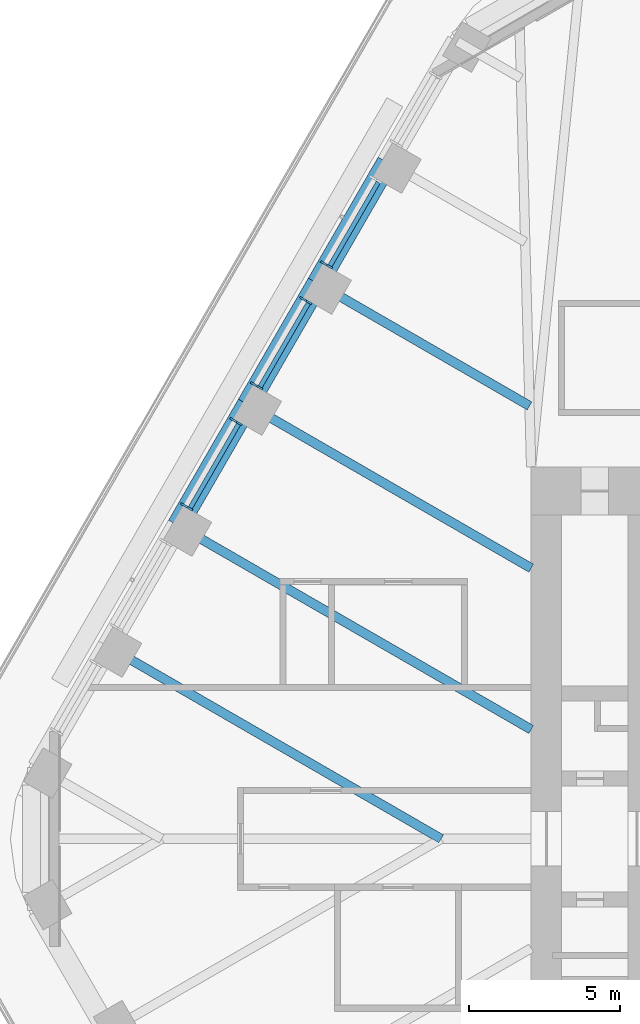
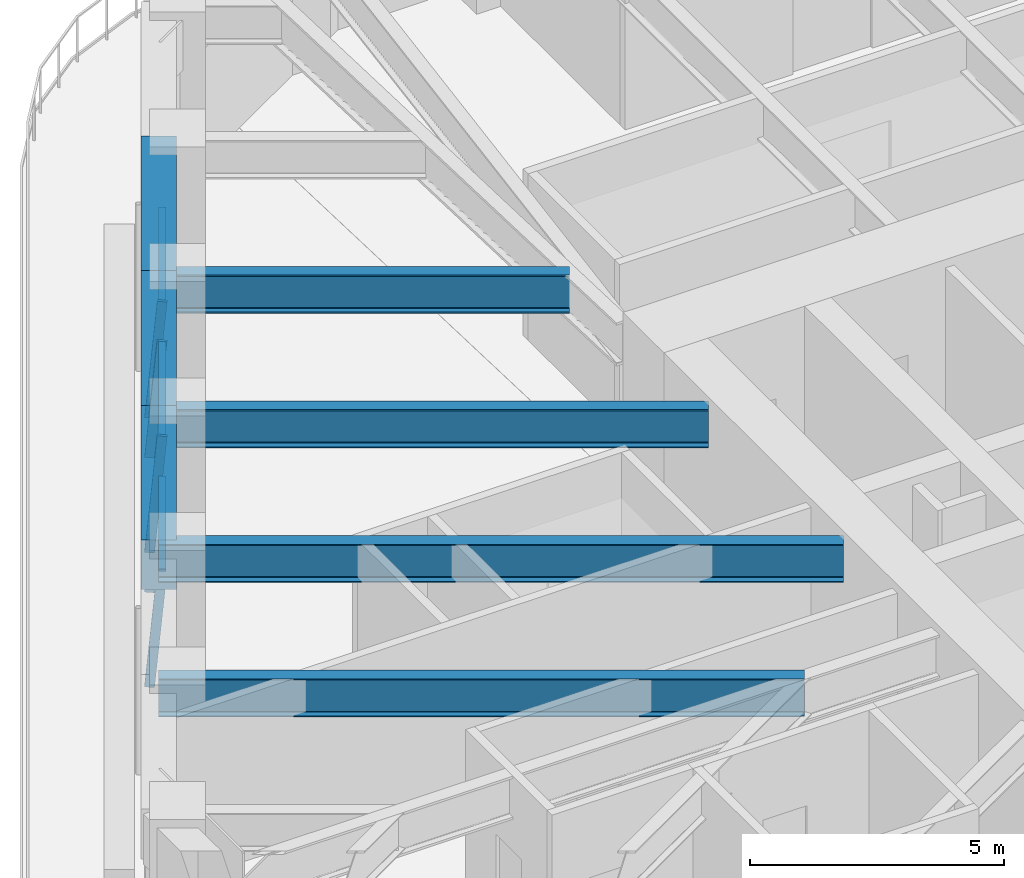
# One storey, part 7 of 20: 8 members, 7 beams, 3 elements without a shape of their own.
"""IFC4 building model written with IfcOpenShell, lengths in metres."""

import ifcopenshell
import ifcopenshell.guid

model = None  # the IFC model being written
_history = None  # IfcOwnerHistory: only IFC2X3 demands one
_inside = {}  # id of a spatial element -> (the spatial element, [elements in it])
_under = {}  # id of a project, library or spatial element -> (it, [spatial elements below it])
_declared = {}  # id of a project -> (the project, [libraries it declares])
_typed = {}  # id of a type object -> (the type object, [elements of that type])
_made_of = {}  # id of a material, layer set ... -> (it, [elements and type objects made of it])


def new_model(schema):
    """Start an empty IFC model of exactly this schema.

    Asked for "IFC4X3", IfcOpenShell would pick the latest addendum, in which some entities
    have other attributes; the version numbers below select the first issue.
    IFC2X3 requires an IfcOwnerHistory on every rooted entity: one is made here for all.
    """
    global model, _history
    if schema == "IFC4X3":
        model = ifcopenshell.file(schema_version=(4, 3, 0, 0))
    else:
        model = ifcopenshell.file(schema=schema)
    _inside.clear()
    _under.clear()
    _declared.clear()
    _typed.clear()
    _made_of.clear()
    _history = None
    if model.schema == "IFC2X3":
        org = make("IfcOrganization", Name="unknown")
        user = make(
            "IfcPersonAndOrganization",
            ThePerson=make("IfcPerson", FamilyName="unknown"),
            TheOrganization=org,
        )
        app = make(
            "IfcApplication",
            ApplicationDeveloper=org,
            Version="unknown",
            ApplicationFullName="unknown",
            ApplicationIdentifier="unknown",
        )
        _history = make(
            "IfcOwnerHistory",
            OwningUser=user,
            OwningApplication=app,
            ChangeAction="ADDED",
            CreationDate=0,
        )
    return model


def make(cls, **values):
    """One entity of the class cls with the attributes given. An attribute that is None is left unset."""
    return model.create_entity(
        cls, **{name: value for name, value in values.items() if value is not None}
    )


def rooted(cls, **values):
    """An entity with a GlobalId (a new one), such as an element, a storey or a relation."""
    return make(cls, GlobalId=ifcopenshell.guid.new(), OwnerHistory=_history, **values)


def si_unit(unit_type, name, prefix=None):
    """IfcSIUnit, for example si_unit("LENGTHUNIT", "METRE", prefix="MILLI")."""
    return make("IfcSIUnit", UnitType=unit_type, Prefix=prefix, Name=name)


def assignment(units):
    """IfcUnitAssignment: the units of a project."""
    return None if units is None else make("IfcUnitAssignment", Units=units)


def point(xyz):
    """IfcCartesianPoint."""
    return None if xyz is None else make("IfcCartesianPoint", Coordinates=xyz)


def direction(xyz):
    """IfcDirection."""
    return None if xyz is None else make("IfcDirection", DirectionRatios=xyz)


def frame(location, z_axis=None, x_axis=None):
    """IfcAxis2Placement3D, a coordinate frame: its origin and axes. An axis left out is left unset."""
    return make(
        "IfcAxis2Placement3D",
        Location=point(location),
        Axis=direction(z_axis),
        RefDirection=direction(x_axis),
    )


def frame_2d(location, x_axis=None):
    """IfcAxis2Placement2D, a coordinate frame in the plane: its origin and x axis."""
    return make(
        "IfcAxis2Placement2D", Location=point(location), RefDirection=direction(x_axis)
    )


def origin():
    """The frame at (0, 0, 0) with its axes left unset."""
    return frame((0.0, 0.0, 0.0))


def origin_2d():
    """The frame at (0, 0) in the plane with its x axis left unset."""
    return frame_2d((0.0, 0.0))


def place(relative_to, where):
    """IfcLocalPlacement: puts the frame where relative to a parent placement (None: the world)."""
    return make(
        "IfcLocalPlacement", PlacementRelTo=relative_to, RelativePlacement=where
    )


def context(
    kind, dimensions, precision=None, world=None, true_north=None, identifier=None
):
    """IfcGeometricRepresentationContext, for example the 3D "Model" context."""
    return make(
        "IfcGeometricRepresentationContext",
        ContextIdentifier=identifier,
        ContextType=kind,
        CoordinateSpaceDimension=dimensions,
        Precision=precision,
        WorldCoordinateSystem=world,
        TrueNorth=true_north,
    )


def subcontext(parent, identifier, kind, view, scale=None):
    """IfcGeometricRepresentationSubContext, for example "Body" below "Model"."""
    return make(
        "IfcGeometricRepresentationSubContext",
        ContextIdentifier=identifier,
        ContextType=kind,
        ParentContext=parent,
        TargetScale=scale,
        TargetView=view,
    )


def project(units=None, contexts=None):
    """IfcProject with its units and contexts."""
    return rooted(
        "IfcProject",
        Name="project",
        RepresentationContexts=contexts,
        UnitsInContext=assignment(units),
    )


def spatial(cls, under=None, at=None, **own):
    """A site, building, storey or space (cls), placed at a placement, below another one or the project."""
    s = rooted(cls, ObjectPlacement=at, **own)
    if under is not None:
        _under.setdefault(under.id(), (under, []))[1].append(s)
    return s


def profile(cls, at=None, kind="AREA", **sizes):
    """A parametric profile (cls). Its sizes go by their IFC names, for example OverallWidth=200.0."""
    return make(cls, ProfileType=kind, Position=at, **sizes)


def rectangle(**sizes):
    """IfcRectangleProfileDef."""
    return profile("IfcRectangleProfileDef", **sizes)


def i_section(**sizes):
    """IfcIShapeProfileDef."""
    return profile("IfcIShapeProfileDef", **sizes)


def extrude(swept, where, along, depth):
    """IfcExtrudedAreaSolid: the profile swept, set in the frame where, extruded along a direction by depth."""
    return make(
        "IfcExtrudedAreaSolid",
        SweptArea=swept,
        Position=where,
        ExtrudedDirection=direction(along),
        Depth=depth,
    )


def shape(context_of_items, identifier, shape_type, items):
    """IfcShapeRepresentation: the items that make up one representation, for example the "Body"."""
    return make(
        "IfcShapeRepresentation",
        ContextOfItems=context_of_items,
        RepresentationIdentifier=identifier,
        RepresentationType=shape_type,
        Items=items,
    )


def material(Name=None, Category=None):
    """IfcMaterial."""
    return make("IfcMaterial", Name=Name, Category=Category)


def material_profile(
    of_material, cross_section, Name=None, Category=None, Priority=None
):
    """IfcMaterialProfile: a cross section and its material."""
    return make(
        "IfcMaterialProfile",
        Name=Name,
        Material=of_material,
        Profile=cross_section,
        Priority=Priority,
        Category=Category,
    )


def profile_set(profiles, Name=None, composite=None):
    """IfcMaterialProfileSet."""
    return make(
        "IfcMaterialProfileSet",
        Name=Name,
        MaterialProfiles=profiles,
        CompositeProfile=composite,
    )


def made_of(thing, what):
    """Note that an element or type object is made of a material, layer set ...; save() writes the relation."""
    if what is not None:
        _made_of.setdefault(what.id(), (what, []))[1].append(thing)
    return thing


def type_object(cls, material=None, **own):
    """A type object (cls), such as IfcWallType, which elements share."""
    return made_of(rooted(cls, **own), material)


def element(
    cls,
    number,
    at=None,
    inside=None,
    cuts=None,
    type_object=None,
    material=None,
    context=None,
    identifier="Body",
    shape_type=None,
    held_by="IfcProductDefinitionShape",
    body=None,
    shapes=None,
    **own,
):
    """One element of the class cls, such as IfcWall. Its Tag is "e" and its number.

    at: its placement. inside: the storey or other place that contains it. cuts: it is an
    opening in that element (IfcRelVoidsElement). A single representation is given by context,
    identifier, shape_type and body (its items); several are given by shapes. held_by: the class
    of the entity that holds the representations. save() writes the other relations.
    """
    e = rooted(cls, Tag="e%d" % number, ObjectPlacement=at, **own)
    if body is not None:
        shapes = [shape(context, identifier, shape_type, body)]
    if shapes is not None:
        e.Representation = make(held_by, Representations=shapes)
    if inside is not None:
        _inside.setdefault(inside.id(), (inside, []))[1].append(e)
    if cuts is not None:
        rooted(
            "IfcRelVoidsElement", RelatingBuildingElement=cuts, RelatedOpeningElement=e
        )
    if type_object is not None:
        _typed.setdefault(type_object.id(), (type_object, []))[1].append(e)
    return made_of(e, material)


def aggregate(whole, parts):
    """IfcRelAggregates: a whole, such as a stair, and the parts it consists of."""
    return rooted("IfcRelAggregates", RelatingObject=whole, RelatedObjects=parts)


def save(model, path):
    """Write the relations noted so far, then the file.

    IfcRelAggregates (storeys below a building ...), IfcRelContainedInSpatialStructure (elements
    in a storey), IfcRelDefinesByType, IfcRelAssociatesMaterial and IfcRelDeclares: one each for
    every whole, place, type object, material and project.
    """
    for whole, parts in _under.values():
        aggregate(whole, parts)
    for where, things in _inside.values():
        rooted(
            "IfcRelContainedInSpatialStructure",
            RelatedElements=things,
            RelatingStructure=where,
        )
    for kind, things in _typed.values():
        rooted("IfcRelDefinesByType", RelatedObjects=things, RelatingType=kind)
    for what, things in _made_of.values():
        rooted("IfcRelAssociatesMaterial", RelatedObjects=things, RelatingMaterial=what)
    for by, libraries in _declared.values():
        rooted("IfcRelDeclares", RelatingContext=by, RelatedDefinitions=libraries)
    model.write(path)


model = new_model("IFC4")

# Units and contexts
model_context = context("Model", 3, precision=1e-05, world=origin(), true_north=direction((0.0, 1.0)))
body_context = subcontext(model_context, "Body", "Model", "MODEL_VIEW")
ifc_project = project(units=[si_unit("LENGTHUNIT", "METRE"), si_unit("AREAUNIT", "SQUARE_METRE"), si_unit("VOLUMEUNIT", "CUBIC_METRE"), si_unit("PLANEANGLEUNIT", "RADIAN"), si_unit("MASSUNIT", "GRAM", prefix="KILO")], contexts=[model_context])

# Site, building, storey
site_placement = place(None, origin())
site = spatial("IfcSite", under=ifc_project, at=site_placement, CompositionType="ELEMENT")
building_placement = place(site_placement, origin())
building = spatial("IfcBuilding", under=site, at=building_placement, Name="Tarfa Lantern Tower", CompositionType="ELEMENT")
storey_placement = place(building_placement, frame((0.0, 0.0, 240.699951171875)))
storey = spatial("IfcBuildingStorey", under=building, at=storey_placement, Name="L54", CompositionType="ELEMENT", Elevation=240.699951171875)

# Curtain wall, member
ifc_material_1 = material(Name="Aluminium framed curtain wall", Category="aluminium")
curtain_wall_type = type_object("IfcCurtainWallType", Name="CW3 CANTED GLAZING HIGH ZONE 2800", PredefinedType="USERDEFINED", material=ifc_material_1)
curtain_wall_1_placement = place(storey_placement, origin())
curtain_wall_1 = element("IfcCurtainWall", 1, at=curtain_wall_1_placement, inside=storey, type_object=curtain_wall_type, Name="CW3 NW L54", ObjectType="CURTAIN WALL", PredefinedType="USERDEFINED")
ifc_material_2 = material(Name="Aluminium mullion", Category="aluminium")
ifc_material_profile_1 = material_profile(ifc_material_2, rectangle(XDim=0.06494140625, YDim=0.199951171875, at=origin_2d()), Name="AL MULLION 65x200")
ifc_profile_set_1 = profile_set([ifc_material_profile_1], Name="Aluminium mullion")
member_type_1 = type_object("IfcMemberType", Name="CWM1 MULLION 65x200", PredefinedType="MULLION", material=ifc_profile_set_1)
member_1_placement = place(storey_placement, frame((-22.37744140625, 19.041015625, 0.0), z_axis=(0.077032386753, -0.044465143199, 0.996036576854), x_axis=(0.499919672301, 0.866071776036, 0.0)))
member_1 = element("IfcMember", 2, at=member_1_placement, type_object=member_type_1, Name="CW3 mullion 2", PredefinedType="MULLION", context=body_context, shape_type="SweptSolid", body=[
    extrude(rectangle(XDim=0.06494140625, YDim=0.199951171875, at=origin_2d()), origin(), (0.0, 0.0, 1.0), 2.811279296875),
])

# Curtain wall, members
curtain_wall_2_placement = place(storey_placement, origin())
curtain_wall_2 = element("IfcCurtainWall", 3, at=curtain_wall_2_placement, inside=storey, type_object=curtain_wall_type, Name="CW3 NW L54", ObjectType="CURTAIN WALL", PredefinedType="USERDEFINED")
member_2_placement = place(storey_placement, frame((-23.06005859375, 17.85888671875, 0.0), z_axis=(0.077032386753, -0.044465143199, 0.996036576854), x_axis=(0.499919672301, 0.866071776036, 0.0)))
member_2 = element("IfcMember", 4, at=member_2_placement, type_object=member_type_1, Name="CW3 mullion 1", PredefinedType="MULLION", context=body_context, shape_type="SweptSolid", body=[
    extrude(rectangle(XDim=0.06494140625, YDim=0.199951171875, at=origin_2d()), origin(), (0.0, 0.0, 1.0), 2.811279296875),
])
member_3_placement = place(storey_placement, frame((-24.686767578125, 15.041015625, 0.0), z_axis=(0.076946055247, -0.044465440504, 0.996043236603), x_axis=(0.500342721131, 0.865827443207, 0.0)))
member_3 = element("IfcMember", 5, at=member_3_placement, type_object=member_type_1, Name="CW3 mullion 2", PredefinedType="MULLION", context=body_context, shape_type="SweptSolid", body=[
    extrude(rectangle(XDim=0.06494140625, YDim=0.199951171875, at=origin_2d()), origin(), (0.0, 0.0, 1.0), 2.811279296875),
])

curtain_wall_3_placement = place(storey_placement, origin())
curtain_wall_3 = element("IfcCurtainWall", 6, at=curtain_wall_3_placement, inside=storey, type_object=curtain_wall_type, Name="CW3 NW L54", ObjectType="CURTAIN WALL", PredefinedType="USERDEFINED")
member_4_placement = place(storey_placement, frame((-25.369384765625, 13.85888671875, 0.0), z_axis=(0.077032386753, -0.044465143199, 0.996036576854), x_axis=(0.499919672301, 0.866071776036, 0.0)))
member_4 = element("IfcMember", 7, at=member_4_placement, type_object=member_type_1, Name="CW3 mullion 1", PredefinedType="MULLION", context=body_context, shape_type="SweptSolid", body=[
    extrude(rectangle(XDim=0.06494140625, YDim=0.199951171875, at=origin_2d()), origin(), (0.0, 0.0, 1.0), 2.811279296875),
])
member_5_placement = place(storey_placement, frame((-26.996337890625, 11.041015625, 0.0), z_axis=(0.077032386753, -0.044465143199, 0.996036576854), x_axis=(0.499919672301, 0.866071776036, 0.0)))
member_5 = element("IfcMember", 8, at=member_5_placement, type_object=member_type_1, Name="CW3 mullion 2", PredefinedType="MULLION", context=body_context, shape_type="SweptSolid", body=[
    extrude(rectangle(XDim=0.06494140625, YDim=0.199951171875, at=origin_2d()), origin(), (0.0, 0.0, 1.0), 2.811279296875),
])

# Member
ifc_material_3 = material(Name="Aluminium transom", Category="aluminium")
ifc_material_profile_2 = material_profile(ifc_material_3, rectangle(XDim=0.14990234375, YDim=0.06494140625, at=origin_2d()), Name="AL TRANSOM 150x65")
ifc_profile_set_2 = profile_set([ifc_material_profile_2], Name="Aluminium transom")
member_type_2 = type_object("IfcMemberType", Name="CWT1 TRANSOM 150x65", PredefinedType="USERDEFINED", material=ifc_profile_set_2)
member_6_placement = place(storey_placement, frame((-20.552734375, 21.707275390625, 2.767578125), z_axis=(-0.500000789788, -0.8660249478, 0.0), x_axis=(0.8660249478, -0.500000789788, 0.0)))
member_6 = element("IfcMember", 9, at=member_6_placement, type_object=member_type_2, Name="CW3 transom 1.2", ObjectType="TRANSOM", PredefinedType="USERDEFINED", context=body_context, shape_type="SweptSolid", body=[
    extrude(rectangle(XDim=0.14990234375, YDim=0.06494140625, at=origin_2d()), origin(), (0.0, 0.0, 1.0), 3.18896484375),
])

aggregate(curtain_wall_1, [member_1, member_6])

member_7_placement = place(storey_placement, frame((-22.8623046875, 17.707275390625, 2.767578125), z_axis=(-0.499943367995, -0.866058097819, 0.0), x_axis=(0.866058097819, -0.499943367995, 0.0)))
member_7 = element("IfcMember", 10, at=member_7_placement, type_object=member_type_2, Name="CW3 transom 1.2", ObjectType="TRANSOM", PredefinedType="USERDEFINED", context=body_context, shape_type="SweptSolid", body=[
    extrude(rectangle(XDim=0.14990234375, YDim=0.06494140625, at=origin_2d()), origin(), (0.0, 0.0, 1.0), 3.188720703125),
])

aggregate(curtain_wall_2, [member_2, member_3, member_7])

member_8_placement = place(storey_placement, frame((-25.171630859375, 13.707275390625, 2.767578125), z_axis=(-0.500000789788, -0.8660249478, 0.0), x_axis=(0.8660249478, -0.500000789788, 0.0)))
member_8 = element("IfcMember", 11, at=member_8_placement, type_object=member_type_2, Name="CW3 transom 1.2", ObjectType="TRANSOM", PredefinedType="USERDEFINED", context=body_context, shape_type="SweptSolid", body=[
    extrude(rectangle(XDim=0.14990234375, YDim=0.06494140625, at=origin_2d()), origin(), (0.0, 0.0, 1.0), 3.18896484375),
])

aggregate(curtain_wall_3, [member_4, member_5, member_8])

# Beams
ifc_material_4 = material(Name="Concrete C80/95", Category="concrete")
ifc_material_profile_3 = material_profile(ifc_material_4, rectangle(XDim=0.699951171875, YDim=1.199951171875, at=origin_2d()), Name="RC 700x1200")
ifc_profile_set_3 = profile_set([ifc_material_profile_3], Name="Concrete C80/95")
beam_type_1 = type_object("IfcBeamType", Name="EB3 RC 700x1200", PredefinedType="SPANDREL", material=ifc_profile_set_3)
beam_1_placement = place(storey_placement, frame((-20.25341796875, 22.360107421875, 3.400146484375), z_axis=(-0.499987836815, -0.866032426089, 0.0), x_axis=(0.866032426089, -0.499987836815, 0.0)))
element("IfcBeam", 12, at=beam_1_placement, inside=storey, type_object=beam_type_1, Name="Edge beam NW1", PredefinedType="SPANDREL", context=body_context, shape_type="SweptSolid", body=[
    extrude(rectangle(XDim=0.699951171875, YDim=1.199951171875, at=origin_2d()), origin(), (0.0, 0.0, 1.0), 4.61865234375),
])
beam_2_placement = place(storey_placement, frame((-22.562744140625, 18.360107421875, 3.400146484375), z_axis=(-0.500027479704, -0.866009537788, 0.0), x_axis=(0.866009537788, -0.500027479704, 0.0)))
element("IfcBeam", 13, at=beam_2_placement, inside=storey, type_object=beam_type_1, Name="Edge beam NW2", PredefinedType="SPANDREL", context=body_context, shape_type="SweptSolid", body=[
    extrude(rectangle(XDim=0.699951171875, YDim=1.199951171875, at=origin_2d()), origin(), (0.0, 0.0, 1.0), 4.618896484375),
])
beam_3_placement = place(storey_placement, frame((-24.872314453125, 14.360107421875, 3.400146484375), z_axis=(-0.499987836815, -0.866032426089, 0.0), x_axis=(0.866032426089, -0.499987836815, 0.0)))
element("IfcBeam", 14, at=beam_3_placement, inside=storey, type_object=beam_type_1, Name="Edge beam NW3", PredefinedType="SPANDREL", context=body_context, shape_type="SweptSolid", body=[
    extrude(rectangle(XDim=0.699951171875, YDim=1.199951171875, at=origin_2d()), origin(), (0.0, 0.0, 1.0), 4.61865234375),
])
ifc_material_5 = material(Name="Steel S460M", Category="steel")
ifc_material_profile_4 = material_profile(ifc_material_5, i_section(OverallWidth=0.305419921875, OverallDepth=0.91845703125, WebThickness=0.017333984375, FlangeThickness=0.02783203125, FilletRadius=0.01904296875, at=origin_2d()), Name="UB914x305x253")
ifc_profile_set_4 = profile_set([ifc_material_profile_4], Name="Steel S460M")
beam_type_2 = type_object("IfcBeamType", Name="UB914x305x253", PredefinedType="BEAM", material=ifc_profile_set_4)
beam_4_placement = place(storey_placement, frame((-22.562744140625, 18.360107421875, 3.540771484375), z_axis=(0.866010787764, -0.500025314835, 0.0), x_axis=(0.500025314835, 0.866010787764, 0.0)))
element("IfcBeam", 15, at=beam_4_placement, inside=storey, type_object=beam_type_2, Name="Floor beam NW2", PredefinedType="BEAM", context=body_context, shape_type="SweptSolid", body=[
    extrude(i_section(OverallWidth=0.305419921875, OverallDepth=0.91845703125, WebThickness=0.017333984375, FlangeThickness=0.02783203125, FilletRadius=0.01904296875, at=origin_2d()), origin(), (0.0, 0.0, 1.0), 8.09423828125),
])
beam_5_placement = place(storey_placement, frame((-24.872314453125, 14.360107421875, 3.540771484375), z_axis=(0.8660244219, -0.500001700669, 0.0), x_axis=(0.500001700669, 0.8660244219, 0.0)))
element("IfcBeam", 16, at=beam_5_placement, inside=storey, type_object=beam_type_2, Name="Floor beam NW3", PredefinedType="BEAM", context=body_context, shape_type="SweptSolid", body=[
    extrude(i_section(OverallWidth=0.305419921875, OverallDepth=0.91845703125, WebThickness=0.017333984375, FlangeThickness=0.02783203125, FilletRadius=0.01904296875, at=origin_2d()), origin(), (0.0, 0.0, 1.0), 10.822265625),
])
beam_6_placement = place(storey_placement, frame((-27.181640625, 10.360107421875, 3.540771484375), z_axis=(0.866018002818, -0.500012818631, 0.0), x_axis=(0.500012818631, 0.866018002818, 0.0)))
element("IfcBeam", 17, at=beam_6_placement, inside=storey, type_object=beam_type_2, Name="Floor beam NW4", PredefinedType="BEAM", context=body_context, shape_type="SweptSolid", body=[
    extrude(i_section(OverallWidth=0.305419921875, OverallDepth=0.91845703125, WebThickness=0.017333984375, FlangeThickness=0.02783203125, FilletRadius=0.01904296875, at=origin_2d()), origin(), (0.0, 0.0, 1.0), 13.489013671875),
])
beam_7_placement = place(storey_placement, frame((-29.490966796875, 6.360107421875, 3.540771484375), z_axis=(0.866022258038, -0.500005448553, 0.0), x_axis=(0.500005448553, 0.866022258038, 0.0)))
element("IfcBeam", 18, at=beam_7_placement, inside=storey, type_object=beam_type_2, Name="Floor beam NW5", PredefinedType="BEAM", context=body_context, shape_type="SweptSolid", body=[
    extrude(i_section(OverallWidth=0.305419921875, OverallDepth=0.91845703125, WebThickness=0.017333984375, FlangeThickness=0.02783203125, FilletRadius=0.01904296875, at=origin_2d()), origin(), (0.0, 0.0, 1.0), 12.719970703125),
])

save(model, "model.ifc")
